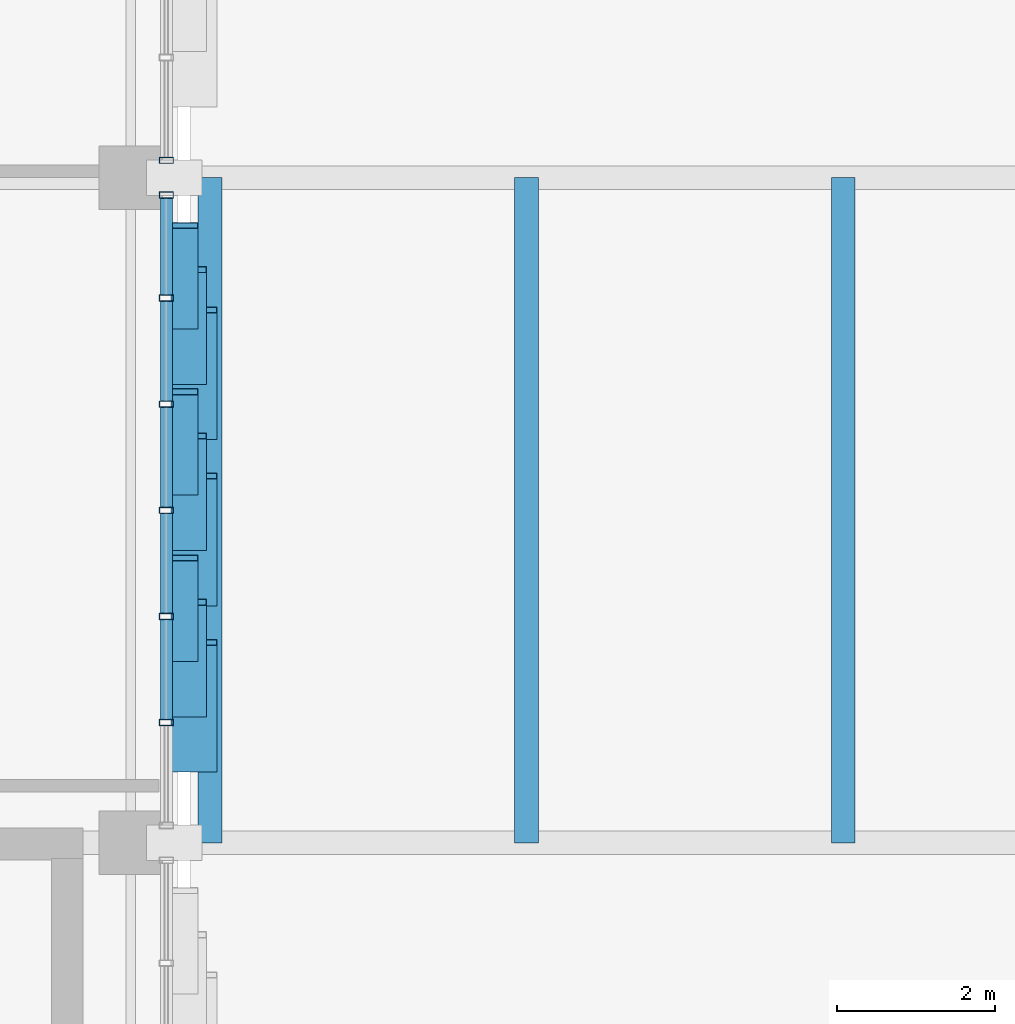
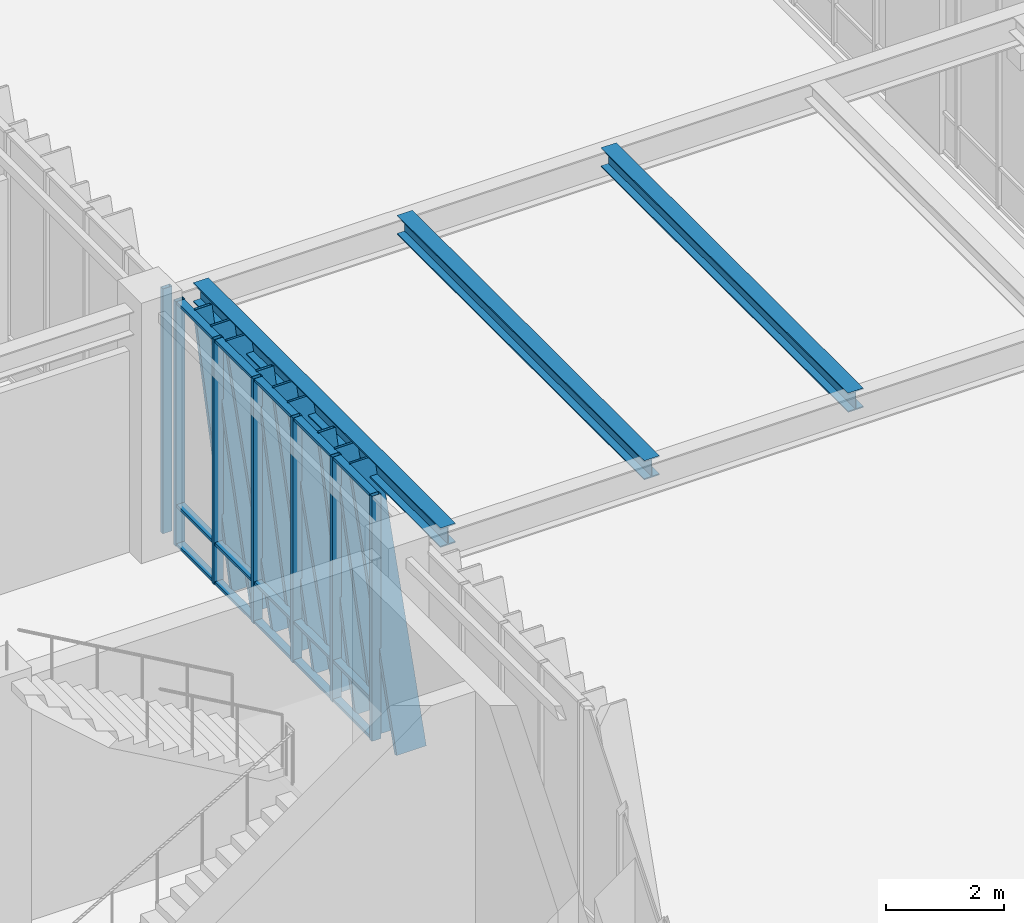
# One storey, part 53 of 122: 31 members, 3 beams, 2 elements without a shape of their own.
"""IFC4 building model written with IfcOpenShell, lengths in metres."""

from ifc_helpers import new_model, si_unit, direction, frame, origin, origin_2d, place, context, subcontext, project, spatial, hollow_rectangle, i_section, extrude, material, layer, layer_set, material_profile, profile_set, type_object, element, aggregate, save


model = new_model("IFC4")

# Units and contexts
model_context = context("Model", 3, precision=1e-05, world=origin(), true_north=direction((0.0, 1.0)))
body_context = subcontext(model_context, "Body", "Model", "MODEL_VIEW")
ifc_project = project(units=[si_unit("LENGTHUNIT", "METRE"), si_unit("AREAUNIT", "SQUARE_METRE"), si_unit("VOLUMEUNIT", "CUBIC_METRE"), si_unit("PLANEANGLEUNIT", "RADIAN"), si_unit("MASSUNIT", "GRAM", prefix="KILO")], contexts=[model_context])

# Site, building, storey
site_placement = place(None, origin())
site = spatial("IfcSite", under=ifc_project, at=site_placement, CompositionType="ELEMENT")
building_placement = place(site_placement, origin())
building = spatial("IfcBuilding", under=site, at=building_placement, Name="Zayran Congress Hotel", CompositionType="ELEMENT")
storey_placement = place(building_placement, origin())
storey = spatial("IfcBuildingStorey", under=building, at=storey_placement, Name="L00", CompositionType="ELEMENT", Elevation=0.0)

# Beams
ifc_material_1 = material(Name="Steel S355", Category="steel")
ifc_material_profile_1 = material_profile(ifc_material_1, i_section(OverallWidth=0.300048828125, OverallDepth=0.39990234375, WebThickness=0.013427734375, FlangeThickness=0.02392578125, at=origin_2d()), Name="HEB 400")
ifc_profile_set_1 = profile_set([ifc_material_profile_1], Name="Steel S355")
beam_type = type_object("IfcBeamType", Name="TP-BM-10", PredefinedType="BEAM", material=ifc_profile_set_1)
for number, where, z_axis, x_axis, name in (
    (1, (92.800048828125, 76.0, 4.949951171875), (0.0, 1.0, 0.0), (-1.0, 0.0, 0.0), "BM-BR1C-L00-2403"),
    (2, (96.800048828125, 76.0, 4.949951171875), (0.0, 1.0, 0.0), (-1.0, 0.0, 0.0), "BM-BR1C-L00-2404"),
    (3, (100.800048828125, 76.0, 4.949951171875), (0.0, 1.0, 0.0), (-1.0, 0.0, 0.0), "BM-BR1C-L00-2405"),
):
    element("IfcBeam", number, at=place(storey_placement, frame(where, z_axis=z_axis, x_axis=x_axis)), inside=storey, type_object=beam_type, Name=name, PredefinedType="BEAM", context=body_context, shape_type="SweptSolid", body=[
        extrude(i_section(OverallWidth=0.300048828125, OverallDepth=0.39990234375, WebThickness=0.013427734375, FlangeThickness=0.02392578125, at=origin_2d()), origin(), (0.0, 0.0, 1.0), 8.39990234375),
    ])

# Curtain wall, members
ifc_material_2 = material(Name="Anodised aluminium and low-E insulated glass", Category="aluminium")
ifc_layer_1 = layer(ifc_material_2, 0.179931640625)
ifc_layer_set_1 = layer_set([ifc_layer_1], Name="Anodised aluminium and low-E insulated glass")
curtain_wall_type_1 = type_object("IfcCurtainWallType", Name="CW-V1E-L00-CW-42-8040-5080", PredefinedType="USERDEFINED", material=ifc_layer_set_1)
curtain_wall_1_placement = place(storey_placement, origin())
curtain_wall_1 = element("IfcCurtainWall", 4, at=curtain_wall_1_placement, inside=storey, type_object=curtain_wall_type_1, Name="CW-V1E-L00-1", ObjectType="CURTAIN WALL", PredefinedType="USERDEFINED")
ifc_material_3 = material(Name="Anodised aluminium framing", Category="aluminium")
ifc_material_profile_2 = material_profile(ifc_material_3, hollow_rectangle(XDim=0.080078125, YDim=0.179931640625, WallThickness=0.0048828125, at=origin_2d()), Name="RHS 180x80x5")
ifc_profile_set_2 = profile_set([ifc_material_profile_2], Name="Anodised aluminium framing")
member_type_1 = type_object("IfcMemberType", Name="TP-CWM-01", PredefinedType="MULLION", material=ifc_profile_set_2)
member_1_placement = place(storey_placement, frame((92.25, 77.52001953125, 0.0), z_axis=(0.0, 0.0, 1.0), x_axis=(0.0, 1.0, 0.0)))
member_1 = element("IfcMember", 5, at=member_1_placement, type_object=member_type_1, Name="CW-V1E-L00-1-M01", PredefinedType="MULLION", context=body_context, shape_type="SweptSolid", body=[
    extrude(hollow_rectangle(XDim=0.080078125, YDim=0.179931640625, WallThickness=0.0048828125, at=origin_2d()), origin(), (0.0, 0.0, 1.0), 5.080078125),
])
member_2_placement = place(storey_placement, frame((92.25, 78.860107421875, 0.0), z_axis=(0.0, 0.0, 1.0), x_axis=(0.0, 1.0, 0.0)))
member_2 = element("IfcMember", 6, at=member_2_placement, type_object=member_type_1, Name="CW-V1E-L00-1-M02", PredefinedType="MULLION", context=body_context, shape_type="SweptSolid", body=[
    extrude(hollow_rectangle(XDim=0.080078125, YDim=0.179931640625, WallThickness=0.0048828125, at=origin_2d()), origin(), (0.0, 0.0, 1.0), 5.080078125),
])
member_3_placement = place(storey_placement, frame((92.25, 80.199951171875, 0.0), z_axis=(0.0, 0.0, 1.0), x_axis=(0.0, 1.0, 0.0)))
member_3 = element("IfcMember", 7, at=member_3_placement, type_object=member_type_1, Name="CW-V1E-L00-1-M03", PredefinedType="MULLION", context=body_context, shape_type="SweptSolid", body=[
    extrude(hollow_rectangle(XDim=0.080078125, YDim=0.179931640625, WallThickness=0.0048828125, at=origin_2d()), origin(), (0.0, 0.0, 1.0), 5.080078125),
])
member_4_placement = place(storey_placement, frame((92.25, 81.5400390625, 0.0), z_axis=(0.0, 0.0, 1.0), x_axis=(0.0, 1.0, 0.0)))
member_4 = element("IfcMember", 8, at=member_4_placement, type_object=member_type_1, Name="CW-V1E-L00-1-M04", PredefinedType="MULLION", context=body_context, shape_type="SweptSolid", body=[
    extrude(hollow_rectangle(XDim=0.080078125, YDim=0.179931640625, WallThickness=0.0048828125, at=origin_2d()), origin(), (0.0, 0.0, 1.0), 5.080078125),
])
member_5_placement = place(storey_placement, frame((92.25, 82.8798828125, 0.0), z_axis=(0.0, 0.0, 1.0), x_axis=(0.0, 1.0, 0.0)))
member_5 = element("IfcMember", 9, at=member_5_placement, type_object=member_type_1, Name="CW-V1E-L00-1-M05", PredefinedType="MULLION", context=body_context, shape_type="SweptSolid", body=[
    extrude(hollow_rectangle(XDim=0.080078125, YDim=0.179931640625, WallThickness=0.0048828125, at=origin_2d()), origin(), (0.0, 0.0, 1.0), 5.080078125),
])
member_6_placement = place(storey_placement, frame((92.25, 84.179931640625, 0.0), z_axis=(0.0, 0.0, 1.0), x_axis=(0.0, 1.0, 0.0)))
member_6 = element("IfcMember", 10, at=member_6_placement, type_object=member_type_1, Name="CW-V1E-L00-1-M06", PredefinedType="MULLION", context=body_context, shape_type="SweptSolid", body=[
    extrude(hollow_rectangle(XDim=0.080078125, YDim=0.179931640625, WallThickness=0.0048828125, at=origin_2d()), origin(), (0.0, 0.0, 1.0), 5.080078125),
])

# Curtain wall, member
ifc_layer_2 = layer(ifc_material_2, 0.179931640625)
ifc_layer_set_2 = layer_set([ifc_layer_2], Name="Anodised aluminium and low-E insulated glass")
curtain_wall_type_2 = type_object("IfcCurtainWallType", Name="CW-V1E-L00-CW-41-8040-5080", PredefinedType="USERDEFINED", material=ifc_layer_set_2)
curtain_wall_2_placement = place(storey_placement, origin())
curtain_wall_2 = element("IfcCurtainWall", 11, at=curtain_wall_2_placement, inside=storey, type_object=curtain_wall_type_2, Name="CW-V1E-L00-2", ObjectType="CURTAIN WALL", PredefinedType="USERDEFINED")
member_7_placement = place(storey_placement, frame((92.25, 84.6201171875, 0.0), z_axis=(0.0, 0.0, 1.0), x_axis=(0.0, 1.0, 0.0)))
member_7 = element("IfcMember", 12, at=member_7_placement, type_object=member_type_1, Name="CW-V1E-L00-2-M00", PredefinedType="MULLION", context=body_context, shape_type="SweptSolid", body=[
    extrude(hollow_rectangle(XDim=0.080078125, YDim=0.179931640625, WallThickness=0.0048828125, at=origin_2d()), origin(), (0.0, 0.0, 1.0), 5.080078125),
])
aggregate(curtain_wall_2, [member_7])

# Member
ifc_material_profile_3 = material_profile(ifc_material_3, hollow_rectangle(XDim=0.06005859375, YDim=0.14990234375, WallThickness=0.00390625, at=origin_2d()), Name="RHS 150x60x4")
ifc_profile_set_3 = profile_set([ifc_material_profile_3], Name="Anodised aluminium framing")
member_type_2 = type_object("IfcMemberType", Name="TP-CWT-01", PredefinedType="USERDEFINED", material=ifc_profile_set_3)
member_8_placement = place(storey_placement, frame((92.25, 77.56005859375, 0.030029296875), z_axis=(0.0, 1.0, 0.0), x_axis=(0.0, 0.0, 1.0)))
member_8 = element("IfcMember", 13, at=member_8_placement, type_object=member_type_2, Name="CW-V1E-L00-1-T01-0", ObjectType="TRANSOM", PredefinedType="USERDEFINED", context=body_context, shape_type="SweptSolid", body=[
    extrude(hollow_rectangle(XDim=0.06005859375, YDim=0.14990234375, WallThickness=0.00390625, at=origin_2d()), origin(), (0.0, 0.0, 1.0), 1.260009765625),
])

member_9_placement = place(storey_placement, frame((92.25, 77.56005859375, 0.840087890625), z_axis=(0.0, 1.0, 0.0), x_axis=(0.0, 0.0, 1.0)))
member_9 = element("IfcMember", 14, at=member_9_placement, type_object=member_type_2, Name="CW-V1E-L00-1-T01-1", ObjectType="TRANSOM", PredefinedType="USERDEFINED", context=body_context, shape_type="SweptSolid", body=[
    extrude(hollow_rectangle(XDim=0.06005859375, YDim=0.14990234375, WallThickness=0.00390625, at=origin_2d()), origin(), (0.0, 0.0, 1.0), 1.260009765625),
])

member_10_placement = place(storey_placement, frame((92.25, 77.56005859375, 5.050048828125), z_axis=(0.0, 1.0, 0.0), x_axis=(0.0, 0.0, 1.0)))
member_10 = element("IfcMember", 15, at=member_10_placement, type_object=member_type_2, Name="CW-V1E-L00-1-T01-2", ObjectType="TRANSOM", PredefinedType="USERDEFINED", context=body_context, shape_type="SweptSolid", body=[
    extrude(hollow_rectangle(XDim=0.06005859375, YDim=0.14990234375, WallThickness=0.00390625, at=origin_2d()), origin(), (0.0, 0.0, 1.0), 1.260009765625),
])

member_11_placement = place(storey_placement, frame((92.25, 78.89990234375, 0.030029296875), z_axis=(0.0, 1.0, 0.0), x_axis=(0.0, 0.0, 1.0)))
member_11 = element("IfcMember", 16, at=member_11_placement, type_object=member_type_2, Name="CW-V1E-L00-1-T02-0", ObjectType="TRANSOM", PredefinedType="USERDEFINED", context=body_context, shape_type="SweptSolid", body=[
    extrude(hollow_rectangle(XDim=0.06005859375, YDim=0.14990234375, WallThickness=0.00390625, at=origin_2d()), origin(), (0.0, 0.0, 1.0), 1.260009765625),
])

member_12_placement = place(storey_placement, frame((92.25, 78.89990234375, 0.840087890625), z_axis=(0.0, 1.0, 0.0), x_axis=(0.0, 0.0, 1.0)))
member_12 = element("IfcMember", 17, at=member_12_placement, type_object=member_type_2, Name="CW-V1E-L00-1-T02-1", ObjectType="TRANSOM", PredefinedType="USERDEFINED", context=body_context, shape_type="SweptSolid", body=[
    extrude(hollow_rectangle(XDim=0.06005859375, YDim=0.14990234375, WallThickness=0.00390625, at=origin_2d()), origin(), (0.0, 0.0, 1.0), 1.260009765625),
])

member_13_placement = place(storey_placement, frame((92.25, 78.89990234375, 5.050048828125), z_axis=(0.0, 1.0, 0.0), x_axis=(0.0, 0.0, 1.0)))
member_13 = element("IfcMember", 18, at=member_13_placement, type_object=member_type_2, Name="CW-V1E-L00-1-T02-2", ObjectType="TRANSOM", PredefinedType="USERDEFINED", context=body_context, shape_type="SweptSolid", body=[
    extrude(hollow_rectangle(XDim=0.06005859375, YDim=0.14990234375, WallThickness=0.00390625, at=origin_2d()), origin(), (0.0, 0.0, 1.0), 1.260009765625),
])

member_14_placement = place(storey_placement, frame((92.25, 80.239990234375, 0.030029296875), z_axis=(0.0, 1.0, 0.0), x_axis=(0.0, 0.0, 1.0)))
member_14 = element("IfcMember", 19, at=member_14_placement, type_object=member_type_2, Name="CW-V1E-L00-1-T03-0", ObjectType="TRANSOM", PredefinedType="USERDEFINED", context=body_context, shape_type="SweptSolid", body=[
    extrude(hollow_rectangle(XDim=0.06005859375, YDim=0.14990234375, WallThickness=0.00390625, at=origin_2d()), origin(), (0.0, 0.0, 1.0), 1.260009765625),
])

member_15_placement = place(storey_placement, frame((92.25, 80.239990234375, 0.840087890625), z_axis=(0.0, 1.0, 0.0), x_axis=(0.0, 0.0, 1.0)))
member_15 = element("IfcMember", 20, at=member_15_placement, type_object=member_type_2, Name="CW-V1E-L00-1-T03-1", ObjectType="TRANSOM", PredefinedType="USERDEFINED", context=body_context, shape_type="SweptSolid", body=[
    extrude(hollow_rectangle(XDim=0.06005859375, YDim=0.14990234375, WallThickness=0.00390625, at=origin_2d()), origin(), (0.0, 0.0, 1.0), 1.260009765625),
])

member_16_placement = place(storey_placement, frame((92.25, 80.239990234375, 5.050048828125), z_axis=(0.0, 1.0, 0.0), x_axis=(0.0, 0.0, 1.0)))
member_16 = element("IfcMember", 21, at=member_16_placement, type_object=member_type_2, Name="CW-V1E-L00-1-T03-2", ObjectType="TRANSOM", PredefinedType="USERDEFINED", context=body_context, shape_type="SweptSolid", body=[
    extrude(hollow_rectangle(XDim=0.06005859375, YDim=0.14990234375, WallThickness=0.00390625, at=origin_2d()), origin(), (0.0, 0.0, 1.0), 1.260009765625),
])

member_17_placement = place(storey_placement, frame((92.25, 81.580078125, 0.030029296875), z_axis=(0.0, 1.0, 0.0), x_axis=(0.0, 0.0, 1.0)))
member_17 = element("IfcMember", 22, at=member_17_placement, type_object=member_type_2, Name="CW-V1E-L00-1-T04-0", ObjectType="TRANSOM", PredefinedType="USERDEFINED", context=body_context, shape_type="SweptSolid", body=[
    extrude(hollow_rectangle(XDim=0.06005859375, YDim=0.14990234375, WallThickness=0.00390625, at=origin_2d()), origin(), (0.0, 0.0, 1.0), 1.260009765625),
])

member_18_placement = place(storey_placement, frame((92.25, 81.580078125, 0.840087890625), z_axis=(0.0, 1.0, 0.0), x_axis=(0.0, 0.0, 1.0)))
member_18 = element("IfcMember", 23, at=member_18_placement, type_object=member_type_2, Name="CW-V1E-L00-1-T04-1", ObjectType="TRANSOM", PredefinedType="USERDEFINED", context=body_context, shape_type="SweptSolid", body=[
    extrude(hollow_rectangle(XDim=0.06005859375, YDim=0.14990234375, WallThickness=0.00390625, at=origin_2d()), origin(), (0.0, 0.0, 1.0), 1.260009765625),
])

member_19_placement = place(storey_placement, frame((92.25, 81.580078125, 5.050048828125), z_axis=(0.0, 1.0, 0.0), x_axis=(0.0, 0.0, 1.0)))
member_19 = element("IfcMember", 24, at=member_19_placement, type_object=member_type_2, Name="CW-V1E-L00-1-T04-2", ObjectType="TRANSOM", PredefinedType="USERDEFINED", context=body_context, shape_type="SweptSolid", body=[
    extrude(hollow_rectangle(XDim=0.06005859375, YDim=0.14990234375, WallThickness=0.00390625, at=origin_2d()), origin(), (0.0, 0.0, 1.0), 1.260009765625),
])

member_20_placement = place(storey_placement, frame((92.25, 82.919921875, 0.030029296875), z_axis=(0.0, 1.0, 0.0), x_axis=(0.0, 0.0, 1.0)))
member_20 = element("IfcMember", 25, at=member_20_placement, type_object=member_type_2, Name="CW-V1E-L00-1-T05-0", ObjectType="TRANSOM", PredefinedType="USERDEFINED", context=body_context, shape_type="SweptSolid", body=[
    extrude(hollow_rectangle(XDim=0.06005859375, YDim=0.14990234375, WallThickness=0.00390625, at=origin_2d()), origin(), (0.0, 0.0, 1.0), 1.219970703125),
])

member_21_placement = place(storey_placement, frame((92.25, 82.919921875, 0.840087890625), z_axis=(0.0, 1.0, 0.0), x_axis=(0.0, 0.0, 1.0)))
member_21 = element("IfcMember", 26, at=member_21_placement, type_object=member_type_2, Name="CW-V1E-L00-1-T05-1", ObjectType="TRANSOM", PredefinedType="USERDEFINED", context=body_context, shape_type="SweptSolid", body=[
    extrude(hollow_rectangle(XDim=0.06005859375, YDim=0.14990234375, WallThickness=0.00390625, at=origin_2d()), origin(), (0.0, 0.0, 1.0), 1.219970703125),
])

member_22_placement = place(storey_placement, frame((92.25, 82.919921875, 5.050048828125), z_axis=(0.0, 1.0, 0.0), x_axis=(0.0, 0.0, 1.0)))
member_22 = element("IfcMember", 27, at=member_22_placement, type_object=member_type_2, Name="CW-V1E-L00-1-T05-2", ObjectType="TRANSOM", PredefinedType="USERDEFINED", context=body_context, shape_type="SweptSolid", body=[
    extrude(hollow_rectangle(XDim=0.06005859375, YDim=0.14990234375, WallThickness=0.00390625, at=origin_2d()), origin(), (0.0, 0.0, 1.0), 1.219970703125),
])

ifc_material_4 = material(Name="Warm bronze anodised aluminium", Category="aluminium")
ifc_material_profile_4 = material_profile(ifc_material_4, hollow_rectangle(XDim=0.080078125, YDim=0.580078125, WallThickness=0.006103515625, at=origin_2d()), Name="RHS 580x80x6")
ifc_profile_set_4 = profile_set([ifc_material_profile_4], Name="Warm bronze anodised aluminium")
member_type_3 = type_object("IfcMemberType", Name="TP-RFN-01", PredefinedType="MULLION", material=ifc_profile_set_4)
member_23_placement = place(storey_placement, frame((92.60009765625, 76.929931640625, 0.0), z_axis=(0.0, 0.300716755525, 0.953713496259), x_axis=(0.0, -0.953713496259, 0.300716755525)))
member_23 = element("IfcMember", 28, at=member_23_placement, type_object=member_type_3, Name="Slanting Reed Mullion CW-42-01", PredefinedType="MULLION", context=body_context, shape_type="SweptSolid", body=[
    extrude(hollow_rectangle(XDim=0.080078125, YDim=0.580078125, WallThickness=0.006103515625, at=origin_2d()), origin(), (0.0, 0.0, 1.0), 5.32666015625),
])

member_24_placement = place(storey_placement, frame((92.60009765625, 79.030029296875, 0.0), z_axis=(0.0, 0.300675065474, 0.953726640606), x_axis=(0.0, -0.953726640606, 0.300675065474)))
member_24 = element("IfcMember", 29, at=member_24_placement, type_object=member_type_3, Name="Slanting Reed Mullion CW-42-04", PredefinedType="MULLION", context=body_context, shape_type="SweptSolid", body=[
    extrude(hollow_rectangle(XDim=0.080078125, YDim=0.580078125, WallThickness=0.006103515625, at=origin_2d()), origin(), (0.0, 0.0, 1.0), 5.32666015625),
])

member_25_placement = place(storey_placement, frame((92.60009765625, 81.1298828125, 0.0), z_axis=(0.0, 0.300716755525, 0.953713496259), x_axis=(0.0, -0.953713496259, 0.300716755525)))
member_25 = element("IfcMember", 30, at=member_25_placement, type_object=member_type_3, Name="Slanting Reed Mullion CW-42-07", PredefinedType="MULLION", context=body_context, shape_type="SweptSolid", body=[
    extrude(hollow_rectangle(XDim=0.080078125, YDim=0.580078125, WallThickness=0.006103515625, at=origin_2d()), origin(), (0.0, 0.0, 1.0), 5.32666015625),
])

ifc_material_profile_5 = material_profile(ifc_material_4, hollow_rectangle(XDim=0.080078125, YDim=0.449951171875, WallThickness=0.006103515625, at=origin_2d()), Name="RHS 450x80x6")
ifc_profile_set_5 = profile_set([ifc_material_profile_5], Name="Warm bronze anodised aluminium")
member_type_4 = type_object("IfcMemberType", Name="TP-RFN-02", PredefinedType="MULLION", material=ifc_profile_set_5)
member_26_placement = place(storey_placement, frame((92.534912109375, 77.6298828125, 0.0), z_axis=(0.0, 0.267256905477, 0.96362531436), x_axis=(0.0, -0.96362531436, 0.267256905477)))
member_26 = element("IfcMember", 31, at=member_26_placement, type_object=member_type_4, Name="Slanting Reed Mullion CW-42-02", PredefinedType="MULLION", context=body_context, shape_type="SweptSolid", body=[
    extrude(hollow_rectangle(XDim=0.080078125, YDim=0.449951171875, WallThickness=0.006103515625, at=origin_2d()), origin(), (0.0, 0.0, 1.0), 5.271728515625),
])

member_27_placement = place(storey_placement, frame((92.534912109375, 79.72998046875, 0.0), z_axis=(0.0, 0.267256905477, 0.96362531436), x_axis=(0.0, -0.96362531436, 0.267256905477)))
member_27 = element("IfcMember", 32, at=member_27_placement, type_object=member_type_4, Name="Slanting Reed Mullion CW-42-05", PredefinedType="MULLION", context=body_context, shape_type="SweptSolid", body=[
    extrude(hollow_rectangle(XDim=0.080078125, YDim=0.449951171875, WallThickness=0.006103515625, at=origin_2d()), origin(), (0.0, 0.0, 1.0), 5.271728515625),
])

member_28_placement = place(storey_placement, frame((92.534912109375, 81.830078125, 0.0), z_axis=(0.0, 0.267213902124, 0.963637240102), x_axis=(0.0, -0.963637240102, 0.267213902124)))
member_28 = element("IfcMember", 33, at=member_28_placement, type_object=member_type_4, Name="Slanting Reed Mullion CW-42-08", PredefinedType="MULLION", context=body_context, shape_type="SweptSolid", body=[
    extrude(hollow_rectangle(XDim=0.080078125, YDim=0.449951171875, WallThickness=0.006103515625, at=origin_2d()), origin(), (0.0, 0.0, 1.0), 5.271728515625),
])

ifc_material_profile_6 = material_profile(ifc_material_4, hollow_rectangle(XDim=0.080078125, YDim=0.340087890625, WallThickness=0.006103515625, at=origin_2d()), Name="RHS 340x80x6")
ifc_profile_set_6 = profile_set([ifc_material_profile_6], Name="Warm bronze anodised aluminium")
member_type_5 = type_object("IfcMemberType", Name="TP-RFN-03", PredefinedType="MULLION", material=ifc_profile_set_6)
member_29_placement = place(storey_placement, frame((92.47998046875, 78.330078125, 0.0), z_axis=(0.0, 0.241921145618, 0.970295913267), x_axis=(0.0, -0.970295913267, 0.241921145618)))
member_29 = element("IfcMember", 34, at=member_29_placement, type_object=member_type_5, Name="Slanting Reed Mullion CW-42-03", PredefinedType="MULLION", context=body_context, shape_type="SweptSolid", body=[
    extrude(hollow_rectangle(XDim=0.080078125, YDim=0.340087890625, WallThickness=0.006103515625, at=origin_2d()), origin(), (0.0, 0.0, 1.0), 5.235595703125),
])

member_30_placement = place(storey_placement, frame((92.47998046875, 80.429931640625, 0.0), z_axis=(0.0, 0.241921145618, 0.970295913267), x_axis=(0.0, -0.970295913267, 0.241921145618)))
member_30 = element("IfcMember", 35, at=member_30_placement, type_object=member_type_5, Name="Slanting Reed Mullion CW-42-06", PredefinedType="MULLION", context=body_context, shape_type="SweptSolid", body=[
    extrude(hollow_rectangle(XDim=0.080078125, YDim=0.340087890625, WallThickness=0.006103515625, at=origin_2d()), origin(), (0.0, 0.0, 1.0), 5.235595703125),
])

member_31_placement = place(storey_placement, frame((92.47998046875, 82.530029296875, 0.0), z_axis=(0.0, 0.241921145618, 0.970295913267), x_axis=(0.0, -0.970295913267, 0.241921145618)))
member_31 = element("IfcMember", 36, at=member_31_placement, type_object=member_type_5, Name="Slanting Reed Mullion CW-42-09", PredefinedType="MULLION", context=body_context, shape_type="SweptSolid", body=[
    extrude(hollow_rectangle(XDim=0.080078125, YDim=0.340087890625, WallThickness=0.006103515625, at=origin_2d()), origin(), (0.0, 0.0, 1.0), 5.235595703125),
])

aggregate(curtain_wall_1, [member_1, member_2, member_3, member_4, member_5, member_6, member_8, member_9, member_10, member_11, member_12, member_13, member_14, member_15, member_16, member_17, member_18, member_19, member_20, member_21, member_22, member_23, member_26, member_29, member_24, member_27, member_30, member_25, member_28, member_31])

save(model, "model.ifc")
